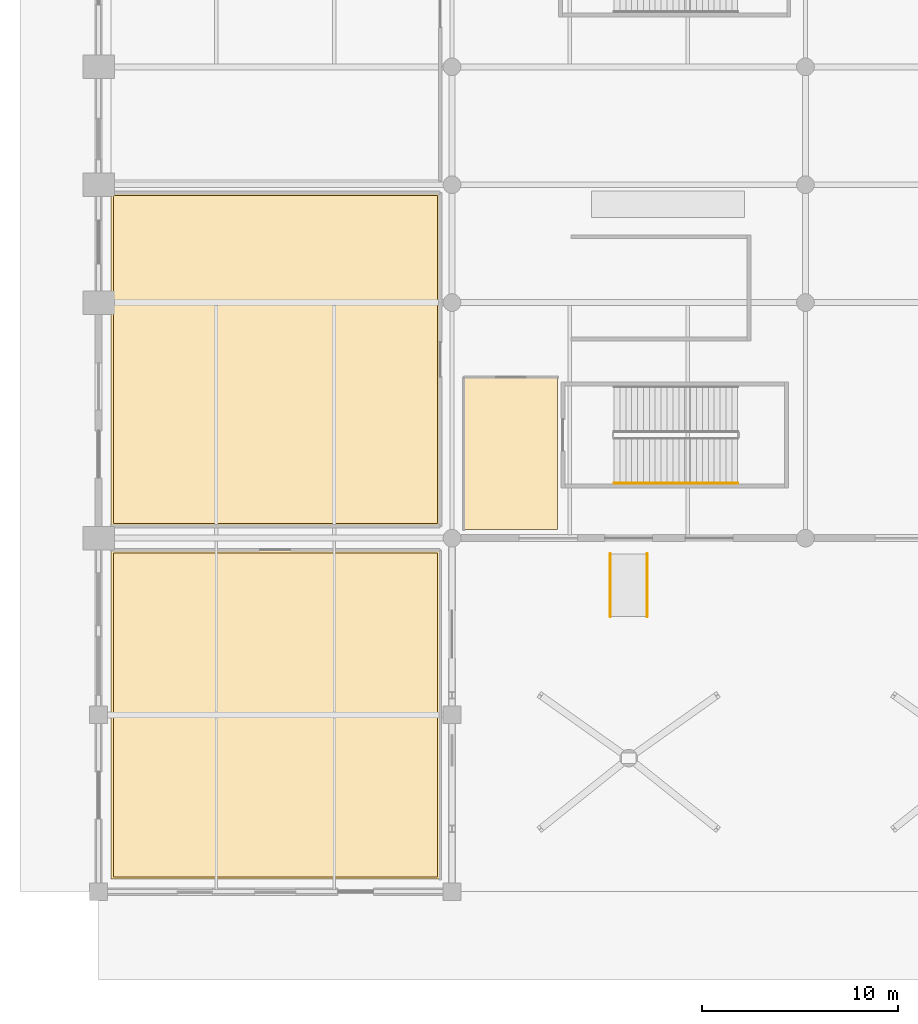
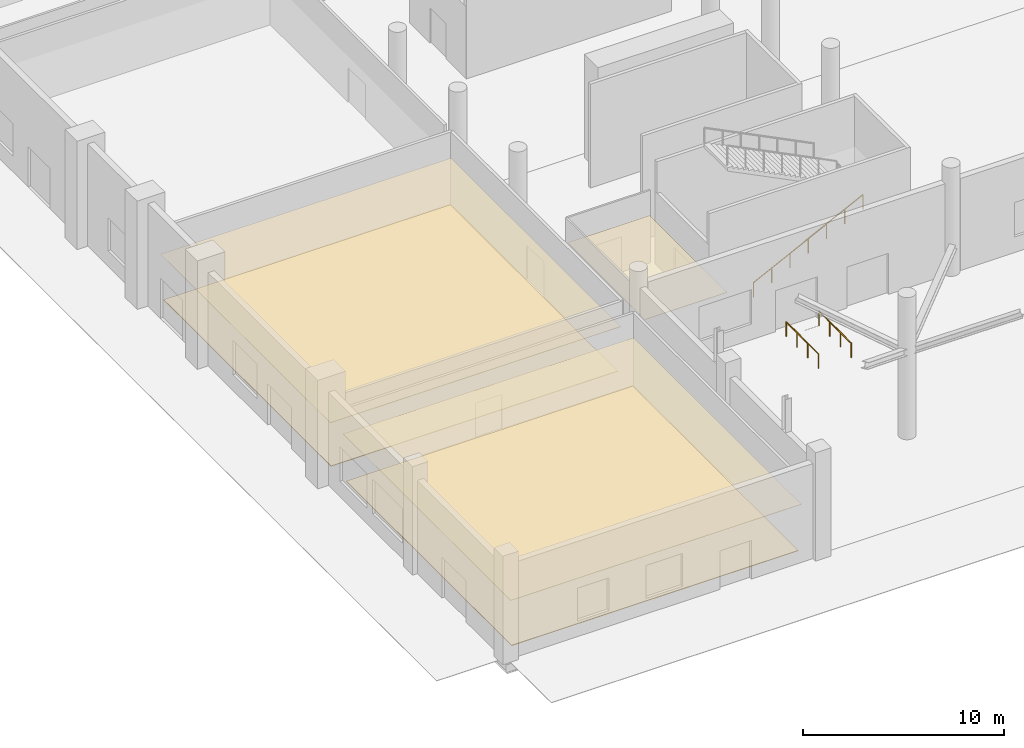
# One storey, part 33 of 65: 5 coverings, 3 railings.
"""IFC4 building model written with IfcOpenShell, lengths in metres."""

from ifc_helpers import new_model, si_unit, direction, frame, origin, origin_2d, place, context, subcontext, project, spatial, polyline, circle, outline, extrude, material, layer, layer_set, type_object, element, save


model = new_model("IFC4")

# Units and contexts
model_context = context("Model", 3, precision=1e-05, world=origin(), true_north=direction((0.0, 1.0)))
body_context = subcontext(model_context, "Body", "Model", "MODEL_VIEW")
ifc_project = project(units=[si_unit("LENGTHUNIT", "METRE"), si_unit("AREAUNIT", "SQUARE_METRE"), si_unit("VOLUMEUNIT", "CUBIC_METRE"), si_unit("PLANEANGLEUNIT", "RADIAN"), si_unit("MASSUNIT", "GRAM", prefix="KILO")], contexts=[model_context])

# Site, building, storey
site_placement = place(None, origin())
site = spatial("IfcSite", under=ifc_project, at=site_placement, CompositionType="ELEMENT")
building_placement = place(site_placement, origin())
building = spatial("IfcBuilding", under=site, at=building_placement, Name="Chuanluo Vaults Station", CompositionType="ELEMENT")
storey_placement = place(building_placement, origin())
storey = spatial("IfcBuildingStorey", under=building, at=storey_placement, Name="L00", CompositionType="ELEMENT", Elevation=0.0)

# Coverings
ifc_material_1 = material(Name="Acoustic mineral-fibre tile")
ifc_layer_1 = layer(ifc_material_1, 0.02490234375)
ifc_layer_set_1 = layer_set([ifc_layer_1], Name="Acoustic mineral-fibre tile")
covering_type_1 = type_object("IfcCoveringType", Name="COV-CEIL-TILE", PredefinedType="CEILING", material=ifc_layer_set_1)
covering_1_placement = place(storey_placement, frame((0.0, 0.0, 2.85009765625)))
element("IfcCovering", 1, at=covering_1_placement, inside=storey, type_object=covering_type_1, Name="L00-EX18 suspended acoustic ceiling", PredefinedType="CEILING", context=body_context, shape_type="SweptSolid", body=[
    extrude(outline(polyline([(18.639892578125, 18.43994140625), (23.360107421875, 18.43994140625), (23.360107421875, 26.159912109375), (18.639892578125, 26.159912109375), (18.639892578125, 18.43994140625)])), origin(), (0.0, 0.0, 1.0), 0.02490234375),
])
covering_2_placement = place(storey_placement, frame((0.0, 0.0, 2.75)))
element("IfcCovering", 2, at=covering_2_placement, inside=storey, type_object=covering_type_1, Name="L00-02 suspended acoustic ceiling", PredefinedType="CEILING", context=body_context, shape_type="SweptSolid", body=[
    extrude(outline(polyline([(0.639892578125, 18.639892578125), (17.360107421875, 18.639892578125), (17.360107421875, 35.56005859375), (0.639892578125, 35.56005859375), (0.639892578125, 18.639892578125)])), origin(), (0.0, 0.0, 1.0), 0.02490234375),
])
covering_3_placement = place(storey_placement, frame((0.0, 0.0, 2.85009765625)))
element("IfcCovering", 3, at=covering_3_placement, inside=storey, type_object=covering_type_1, Name="L00-04 suspended acoustic ceiling", PredefinedType="CEILING", context=body_context, shape_type="SweptSolid", body=[
    extrude(outline(polyline([(0.639892578125, 0.639892578125), (17.360107421875, 0.639892578125), (17.360107421875, 17.360107421875), (0.639892578125, 17.360107421875), (0.639892578125, 0.639892578125)])), origin(), (0.0, 0.0, 1.0), 0.02490234375),
])
ifc_material_2 = material(Name="Granite stone flooring", Category="masonry")
ifc_layer_2 = layer(ifc_material_2, 0.034912109375)
ifc_layer_set_2 = layer_set([ifc_layer_2], Name="Granite stone flooring")
covering_type_2 = type_object("IfcCoveringType", Name="COV-FLOR-GRAN", PredefinedType="FLOORING", material=ifc_layer_set_2)
covering_4_placement = place(storey_placement, origin())
element("IfcCovering", 4, at=covering_4_placement, inside=storey, type_object=covering_type_2, Name="L00-02 granite floor finish", PredefinedType="FLOORING", context=body_context, shape_type="SweptSolid", body=[
    extrude(outline(polyline([(0.75, 18.75), (17.25, 18.75), (17.25, 35.449951171875), (0.75, 35.449951171875), (0.75, 18.75)])), origin(), (0.0, 0.0, 1.0), 0.034912109375),
])
covering_5_placement = place(storey_placement, origin())
element("IfcCovering", 5, at=covering_5_placement, inside=storey, type_object=covering_type_2, Name="L00-04 granite floor finish", PredefinedType="FLOORING", context=body_context, shape_type="SweptSolid", body=[
    extrude(outline(polyline([(0.75, 0.75), (17.25, 0.75), (17.25, 17.25), (0.75, 17.25), (0.75, 0.75)])), origin(), (0.0, 0.0, 1.0), 0.034912109375),
])

# Railings
ifc_material_3 = material(Name="Brushed stainless steel 304", Category="steel")
railing_type = type_object("IfcRailingType", Name="RLG-HAND-900", PredefinedType="HANDRAIL", material=ifc_material_3)
for number, where, name in (
    (6, (26.06005859375, 14.0, 0.0), "Accessible ramp handrail RM-A1-W"),
    (7, (27.93994140625, 14.0, 0.0), "Accessible ramp handrail RM-A1-E"),
):
    element("IfcRailing", number, at=place(storey_placement, frame(where)), inside=storey, type_object=railing_type, Name=name, PredefinedType="HANDRAIL", context=body_context, shape_type="SweptSolid", body=[
        extrude(circle(Radius=0.02392578125, at=origin_2d()), frame((0.0, 0.0, 0.8759765625), z_axis=(0.0, 1.0, 0.0), x_axis=(-1.0, 0.0, 0.0)), (0.0, 0.0, 1.0), 3.199951171875),
        extrude(circle(Radius=0.02099609375, at=origin_2d()), origin(), (0.0, 0.0, 1.0), 0.851806640625),
        extrude(circle(Radius=0.02099609375, at=origin_2d()), frame((0.0, 1.066650390625, 0.0)), (0.0, 0.0, 1.0), 0.851806640625),
        extrude(circle(Radius=0.02099609375, at=origin_2d()), frame((0.0, 2.13330078125, 0.0)), (0.0, 0.0, 1.0), 0.851806640625),
        extrude(circle(Radius=0.02099609375, at=origin_2d()), frame((0.0, 3.199951171875, 0.0)), (0.0, 0.0, 1.0), 0.851806640625),
    ])
railing_placement = place(storey_placement, frame((26.25, 20.800048828125, 0.14990234375)))
element("IfcRailing", 8, at=railing_placement, inside=storey, type_object=railing_type, Name="L00 ST-18 stair handrail 1", PredefinedType="HANDRAIL", context=body_context, shape_type="SweptSolid", body=[
    extrude(circle(Radius=0.02392578125, at=origin_2d()), frame((0.0, 0.0, 0.8759765625), z_axis=(0.894420258746, 0.0, 0.44722745974), x_axis=(0.0, 1.0, 0.0)), (0.0, 0.0, 1.0), 7.043701171875),
    extrude(circle(Radius=0.02099609375, at=origin_2d()), origin(), (0.0, 0.0, 1.0), 0.851806640625),
    extrude(circle(Radius=0.02099609375, at=origin_2d()), frame((1.050048828125, 0.0, 0.52490234375)), (0.0, 0.0, 1.0), 0.851806640625),
    extrude(circle(Radius=0.02099609375, at=origin_2d()), frame((2.10009765625, 0.0, 1.050048828125)), (0.0, 0.0, 1.0), 0.851806640625),
    extrude(circle(Radius=0.02099609375, at=origin_2d()), frame((3.14990234375, 0.0, 1.5751953125)), (0.0, 0.0, 1.0), 0.851806640625),
    extrude(circle(Radius=0.02099609375, at=origin_2d()), frame((4.199951171875, 0.0, 2.10009765625)), (0.0, 0.0, 1.0), 0.851806640625),
    extrude(circle(Radius=0.02099609375, at=origin_2d()), frame((5.25, 0.0, 2.625)), (0.0, 0.0, 1.0), 0.851806640625),
    extrude(circle(Radius=0.02099609375, at=origin_2d()), frame((6.300048828125, 0.0, 3.150146484375)), (0.0, 0.0, 1.0), 0.851806640625),
])

save(model, "model.ifc")
